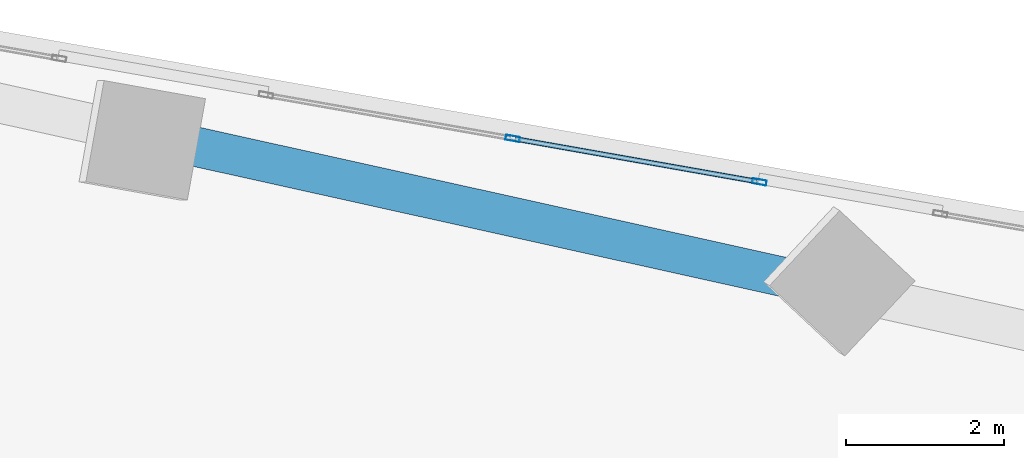
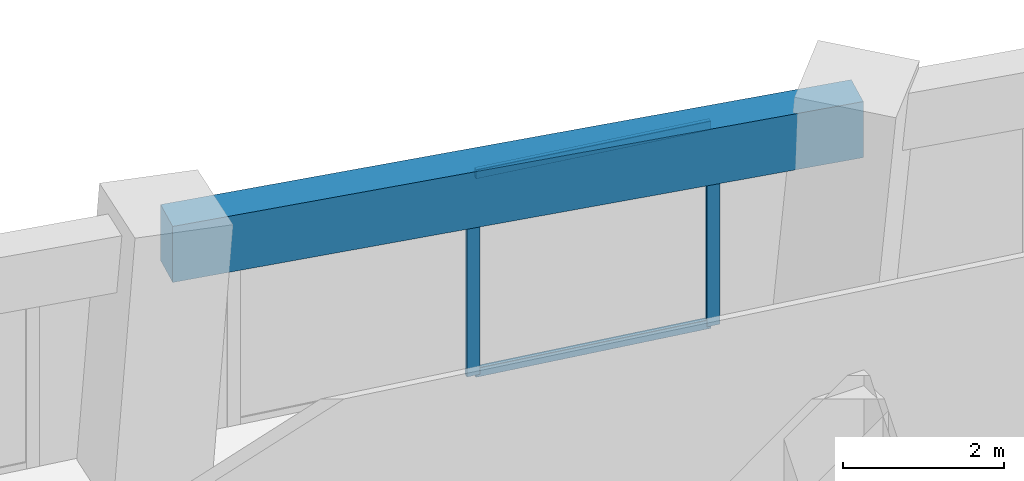
# One storey, part 17 of 24: 4 members, 1 beam, 1 element without a shape of its own.
"""IFC4 building model written with IfcOpenShell, lengths in metres."""

from ifc_helpers import new_model, si_unit, direction, frame, origin, origin_2d, place, context, subcontext, project, spatial, rectangle, hollow_rectangle, extrude, source, transform, mapped, material, material_profile, profile_set, type_object, element, aggregate, save


model = new_model("IFC4")

# Units and contexts
model_context = context("Model", 3, precision=1e-05, world=origin(), true_north=direction((0.0, 1.0)))
body_context = subcontext(model_context, "Body", "Model", "MODEL_VIEW")
ifc_project = project(units=[si_unit("LENGTHUNIT", "METRE"), si_unit("AREAUNIT", "SQUARE_METRE"), si_unit("VOLUMEUNIT", "CUBIC_METRE"), si_unit("PLANEANGLEUNIT", "RADIAN"), si_unit("MASSUNIT", "GRAM", prefix="KILO")], contexts=[model_context])

# Site, building, storey
site_placement = place(None, origin())
site = spatial("IfcSite", under=ifc_project, at=site_placement, CompositionType="ELEMENT")
building_placement = place(site_placement, origin())
building = spatial("IfcBuilding", under=site, at=building_placement, Name="Torre Montelarca", CompositionType="ELEMENT")
storey_placement = place(building_placement, frame((0.0, 0.0, 83.199951171875)))
storey = spatial("IfcBuildingStorey", under=building, at=storey_placement, Name="L18", CompositionType="ELEMENT", Elevation=83.199951171875)

# Beam
ifc_material_1 = material(Name="Concrete C55/67", Category="concrete")
ifc_material_profile_1 = material_profile(ifc_material_1, rectangle(XDim=0.5, YDim=0.85009765625, at=origin_2d()), Name="RCB500X850", Category="concrete")
ifc_profile_set_1 = profile_set([ifc_material_profile_1], Name="Concrete C55/67")
beam_type = type_object("IfcBeamType", Name="BM-SP-RC850-EXT", PredefinedType="SPANDREL", material=ifc_profile_set_1)
shared_shape_1 = source(origin(), body_context, "Body", "SweptSolid", [
    extrude(rectangle(XDim=0.5, YDim=0.85009765625, at=origin_2d()), origin(), (0.0, 0.0, 1.0), 9.0),
])
beam_placement = place(storey_placement, frame((21.362060546875, 47.54833984375, 3.53515625), z_axis=(0.976300540537, -0.216419164001, 0.0), x_axis=(0.216419164001, 0.976300540537, 0.0)))
element("IfcBeam", 1, at=beam_placement, inside=storey, type_object=beam_type, Name="L18 Grid Girder X 18.0-27.0 at Y=47.1", PredefinedType="SPANDREL", context=body_context, shape_type="MappedRepresentation", body=[
    mapped(shared_shape_1, transform((0.0, 0.0, 0.0), scale=1.0)),
])

# Curtain wall, members
ifc_material_2 = material(Name="Insulated low-E laminated glass", Category="glass")
curtain_wall_type = type_object("IfcCurtainWallType", Name="CW-SYS-Z1", PredefinedType="USERDEFINED", material=ifc_material_2)
curtain_wall_placement = place(storey_placement, origin())
curtain_wall = element("IfcCurtainWall", 2, at=curtain_wall_placement, inside=storey, type_object=curtain_wall_type, Name="L18 Curtain Wall Run CW-T3-L18-E08-B2", ObjectType="UNITISED GLAZING", PredefinedType="USERDEFINED")
ifc_material_3 = material(Name="Anodised aluminium AA 6063-T6", Category="aluminium")
ifc_material_profile_2 = material_profile(ifc_material_3, hollow_rectangle(XDim=0.06494140625, YDim=0.139892578125, WallThickness=0.00390625, InnerFilletRadius=0.00390625, OuterFilletRadius=0.008056640625, at=origin_2d()), Name="ALU65X140X4", Category="aluminium")
ifc_profile_set_2 = profile_set([ifc_material_profile_2], Name="Anodised aluminium AA 6063-T6")
member_type_1 = type_object("IfcMemberType", Name="CWT-ALU140", PredefinedType="USERDEFINED", material=ifc_profile_set_2)
shared_shape_2 = source(origin(), body_context, "Body", "SweptSolid", [
    extrude(hollow_rectangle(XDim=0.06494140625, YDim=0.139892578125, WallThickness=0.00390625, InnerFilletRadius=0.00390625, OuterFilletRadius=0.008056640625, at=origin_2d()), origin(), (0.0, 0.0, 1.0), 3.10498046875),
])
member_1_placement = place(storey_placement, frame((28.854248046875, 47.021240234375, 0.032470703125), z_axis=(-0.984814413965, 0.173610397288, 0.0), x_axis=(-0.173610397288, -0.984814413965, 0.0)))
member_1 = element("IfcMember", 3, at=member_1_placement, type_object=member_type_1, Name="CW transom 1.1", ObjectType="TRANSOM", PredefinedType="USERDEFINED", context=body_context, shape_type="MappedRepresentation", body=[
    mapped(shared_shape_2, transform((0.0, 0.0, 0.0), scale=1.0)),
])
member_2_placement = place(storey_placement, frame((28.854248046875, 47.021240234375, 3.04248046875), z_axis=(-0.984814413965, 0.173610397288, 0.0), x_axis=(-0.173610397288, -0.984814413965, 0.0)))
member_2 = element("IfcMember", 4, at=member_2_placement, type_object=member_type_1, Name="CW transom 1.2", ObjectType="TRANSOM", PredefinedType="USERDEFINED", context=body_context, shape_type="MappedRepresentation", body=[
    mapped(shared_shape_2, transform((0.0, 0.0, 0.0), scale=1.0)),
])
ifc_material_profile_3 = material_profile(ifc_material_3, hollow_rectangle(XDim=0.06494140625, YDim=0.179931640625, WallThickness=0.00390625, InnerFilletRadius=0.00390625, OuterFilletRadius=0.008056640625, at=origin_2d()), Name="ALU65X180X4", Category="aluminium")
ifc_profile_set_3 = profile_set([ifc_material_profile_3], Name="Anodised aluminium AA 6063-T6")
member_type_2 = type_object("IfcMemberType", Name="CWM-ALU180", PredefinedType="MULLION", material=ifc_profile_set_3)
shared_shape_3 = source(origin(), body_context, "Body", "SweptSolid", [
    extrude(hollow_rectangle(XDim=0.06494140625, YDim=0.179931640625, WallThickness=0.00390625, InnerFilletRadius=0.00390625, OuterFilletRadius=0.008056640625, at=origin_2d()), origin(), (0.0, 0.0, 1.0), 3.074951171875),
])
member_3_placement = place(storey_placement, frame((28.88623046875, 47.015625, 0.0), z_axis=(0.0, 0.0, 1.0), x_axis=(-0.173645498104, -0.984808225488, 0.0)))
member_3 = element("IfcMember", 5, at=member_3_placement, type_object=member_type_2, Name="CW mullion 1", PredefinedType="MULLION", context=body_context, shape_type="MappedRepresentation", body=[
    mapped(shared_shape_3, transform((0.0, 0.0, 0.0), scale=1.0)),
])
member_4_placement = place(storey_placement, frame((25.764404296875, 47.56591796875, 0.0), z_axis=(0.0, 0.0, 1.0), x_axis=(-0.173645498104, -0.984808225488, 0.0)))
member_4 = element("IfcMember", 6, at=member_4_placement, type_object=member_type_2, Name="CW mullion 2", PredefinedType="MULLION", context=body_context, shape_type="MappedRepresentation", body=[
    mapped(shared_shape_3, transform((0.0, 0.0, 0.0), scale=1.0)),
])
aggregate(curtain_wall, [member_3, member_4, member_1, member_2])

save(model, "model.ifc")
